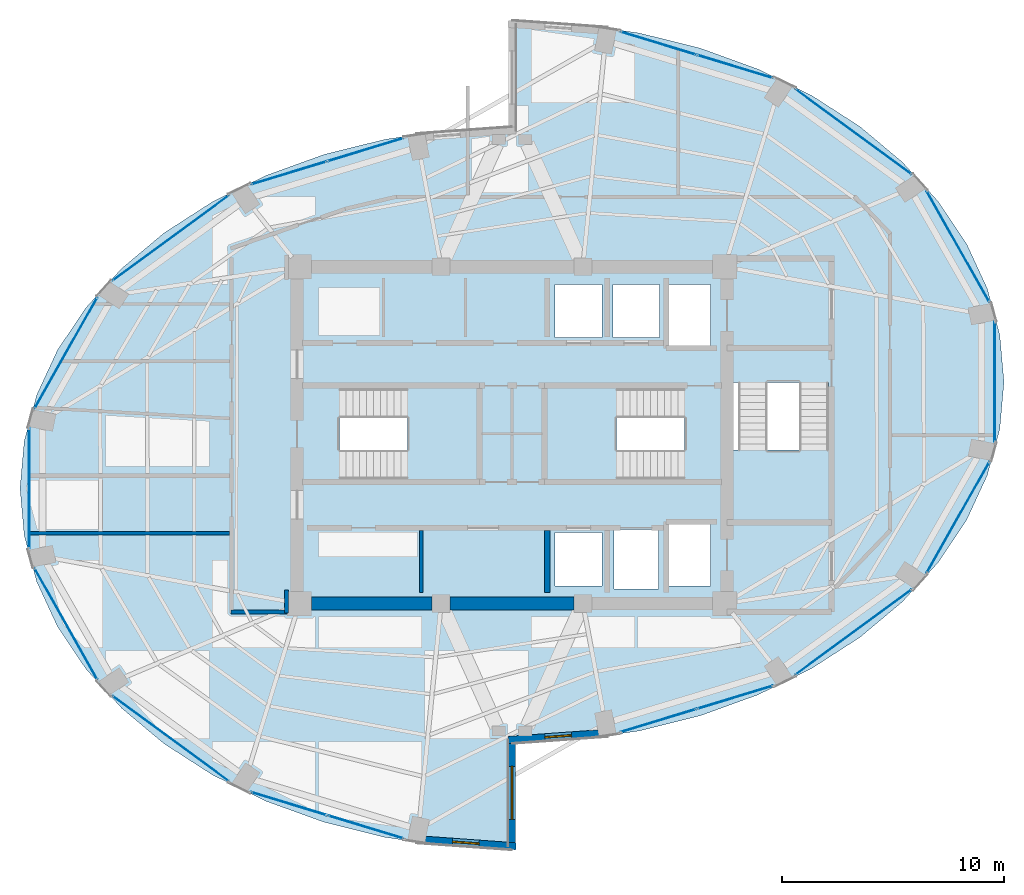
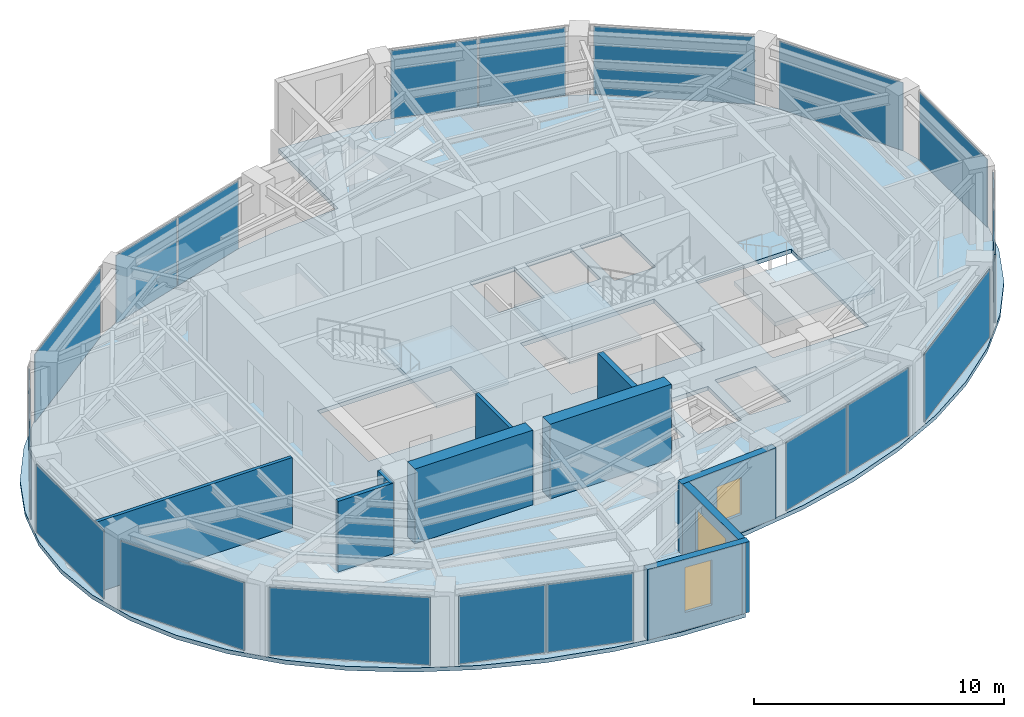
# One storey, part 18 of 23: 18 plates, 10 walls, 4 slabs, 3 windows, 3 openings, 17 elements without a shape of their own.
"""IFC4 building model written with IfcOpenShell, lengths in metres."""

from ifc_helpers import new_model, si_unit, direction, frame, frame_2d, origin, origin_2d, place, context, subcontext, project, spatial, polyline, rectangle, outline, extrude, material, layer, layer_set, type_object, element, fill, aggregate, save


model = new_model("IFC4")

# Units and contexts
model_context = context("Model", 3, precision=1e-05, world=origin(), true_north=direction((0.0, 1.0)))
body_context = subcontext(model_context, "Body", "Model", "MODEL_VIEW")
ifc_project = project(units=[si_unit("LENGTHUNIT", "METRE"), si_unit("AREAUNIT", "SQUARE_METRE"), si_unit("VOLUMEUNIT", "CUBIC_METRE"), si_unit("PLANEANGLEUNIT", "RADIAN"), si_unit("MASSUNIT", "GRAM", prefix="KILO")], contexts=[model_context])

# Site, building, storey
site_placement = place(None, origin())
site = spatial("IfcSite", under=ifc_project, at=site_placement, CompositionType="ELEMENT")
building_placement = place(site_placement, origin())
building = spatial("IfcBuilding", under=site, at=building_placement, Name="Lazwardi Medical Tower", CompositionType="ELEMENT")
storey_placement = place(building_placement, frame((0.0, 0.0, 213.072021484375)))
storey = spatial("IfcBuildingStorey", under=building, at=storey_placement, Name="L55", CompositionType="ELEMENT", Elevation=213.072021484375)

# Curtain wall, plates
ifc_material_1 = material(Name="Anodised bronze aluminium and solar control glazing", Category="aluminium")
ifc_layer_1 = layer(ifc_material_1, 0.18994140625)
ifc_layer_set_1 = layer_set([ifc_layer_1], Name="Anodised bronze aluminium and solar control glazing")
curtain_wall_type = type_object("IfcCurtainWallType", Name="CW-SYS-04", PredefinedType="NOTDEFINED", material=ifc_layer_set_1)
curtain_wall_1_placement = place(storey_placement, origin())
curtain_wall_1 = element("IfcCurtainWall", 1, at=curtain_wall_1_placement, inside=storey, type_object=curtain_wall_type, Name="L55 Unitised bronze curtain wall CW-04", PredefinedType="NOTDEFINED")
ifc_material_2 = material(Name="Low-e bronze solar control double glazing", Category="glass")
ifc_layer_2 = layer(ifc_material_2, 0.035888671875)
ifc_layer_set_2 = layer_set([ifc_layer_2], Name="Low-e bronze solar control double glazing")
plate_type = type_object("IfcPlateType", Name="PLT-GLZ-01", PredefinedType="CURTAIN_PANEL", material=ifc_layer_set_2)
plate_1_placement = place(storey_placement, frame((42.604736328125, 15.118896484375, 0.06494140625), z_axis=(0.0, 0.0, 1.0), x_axis=(0.956850126972, 0.290581889515, 0.0)))
plate_1 = element("IfcPlate", 2, at=plate_1_placement, type_object=plate_type, Name="CW-04 panel 1.1", PredefinedType="CURTAIN_PANEL", context=body_context, shape_type="SweptSolid", body=[
    extrude(rectangle(XDim=3.554443359375, YDim=0.035888671875, at=origin_2d()), origin(), (0.0, 0.0, 1.0), 3.318115234375),
])
plate_2_placement = place(storey_placement, frame((46.068115234375, 16.170654296875, 0.06494140625), z_axis=(0.0, 0.0, 1.0), x_axis=(0.956850126972, 0.290581889515, 0.0)))
plate_2 = element("IfcPlate", 3, at=plate_2_placement, type_object=plate_type, Name="CW-04 panel 2.1", PredefinedType="CURTAIN_PANEL", context=body_context, shape_type="SweptSolid", body=[
    extrude(rectangle(XDim=3.554443359375, YDim=0.035888671875, at=origin_2d()), origin(), (0.0, 0.0, 1.0), 3.318115234375),
])
aggregate(curtain_wall_1, [plate_1, plate_2])

# Curtain wall, plate
curtain_wall_2_placement = place(storey_placement, origin())
curtain_wall_2 = element("IfcCurtainWall", 4, at=curtain_wall_2_placement, inside=storey, type_object=curtain_wall_type, Name="L55 Unitised bronze curtain wall CW-04", PredefinedType="NOTDEFINED")
plate_3_placement = place(storey_placement, frame((51.403564453125, 19.106689453125, 0.06494140625), z_axis=(0.0, 0.0, 1.0), x_axis=(0.806474971121, 0.591268230971, 0.0)))
plate_3 = element("IfcPlate", 5, at=plate_3_placement, type_object=plate_type, Name="CW-04 panel 1.1", PredefinedType="CURTAIN_PANEL", context=body_context, shape_type="SweptSolid", body=[
    extrude(rectangle(XDim=6.502685546875, YDim=0.035888671875, at=origin_2d()), origin(), (0.0, 0.0, 1.0), 3.318115234375),
])
aggregate(curtain_wall_2, [plate_3])

curtain_wall_3_placement = place(storey_placement, origin())
curtain_wall_3 = element("IfcCurtainWall", 6, at=curtain_wall_3_placement, inside=storey, type_object=curtain_wall_type, Name="L55 Unitised bronze curtain wall CW-04", PredefinedType="NOTDEFINED")
plate_4_placement = place(storey_placement, frame((56.125732421875, 24.2880859375, 0.06494140625), z_axis=(0.0, 0.0, 1.0), x_axis=(0.491900474661, 0.870651436011, 0.0)))
plate_4 = element("IfcPlate", 7, at=plate_4_placement, type_object=plate_type, Name="CW-04 panel 1.1", PredefinedType="CURTAIN_PANEL", context=body_context, shape_type="SweptSolid", body=[
    extrude(rectangle(XDim=5.755126953125, YDim=0.035888671875, at=origin_2d()), origin(), (0.0, 0.0, 1.0), 3.318115234375),
])
aggregate(curtain_wall_3, [plate_4])

curtain_wall_4_placement = place(storey_placement, origin())
curtain_wall_4 = element("IfcCurtainWall", 8, at=curtain_wall_4_placement, inside=storey, type_object=curtain_wall_type, Name="L55 Unitised bronze curtain wall CW-04", PredefinedType="NOTDEFINED")
plate_5_placement = place(storey_placement, frame((57.7841796875, 30.39990234375, 0.06494140625), z_axis=(0.0, 0.0, 1.0), x_axis=(0.0, 1.0, 0.0)))
plate_5 = element("IfcPlate", 9, at=plate_5_placement, type_object=plate_type, Name="CW-04 panel 1.1", PredefinedType="CURTAIN_PANEL", context=body_context, shape_type="SweptSolid", body=[
    extrude(rectangle(XDim=5.416015625, YDim=0.035888671875, at=origin_2d()), origin(), (0.0, 0.0, 1.0), 3.318115234375),
])
aggregate(curtain_wall_4, [plate_5])

curtain_wall_5_placement = place(storey_placement, origin())
curtain_wall_5 = element("IfcCurtainWall", 10, at=curtain_wall_5_placement, inside=storey, type_object=curtain_wall_type, Name="L55 Unitised bronze curtain wall CW-04", PredefinedType="NOTDEFINED")
plate_6_placement = place(storey_placement, frame((56.125732421875, 36.511962890625, 0.06494140625), z_axis=(0.0, 0.0, 1.0), x_axis=(-0.491900474661, 0.870651436011, 0.0)))
plate_6 = element("IfcPlate", 11, at=plate_6_placement, type_object=plate_type, Name="CW-04 panel 1.1", PredefinedType="CURTAIN_PANEL", context=body_context, shape_type="SweptSolid", body=[
    extrude(rectangle(XDim=5.755126953125, YDim=0.035888671875, at=origin_2d()), origin(), (0.0, 0.0, 1.0), 3.318115234375),
])
aggregate(curtain_wall_5, [plate_6])

curtain_wall_6_placement = place(storey_placement, origin())
curtain_wall_6 = element("IfcCurtainWall", 12, at=curtain_wall_6_placement, inside=storey, type_object=curtain_wall_type, Name="L55 Unitised bronze curtain wall CW-04", PredefinedType="NOTDEFINED")
plate_7_placement = place(storey_placement, frame((51.403564453125, 41.693359375, 0.06494140625), z_axis=(0.0, 0.0, 1.0), x_axis=(-0.806474971121, 0.591268230971, 0.0)))
plate_7 = element("IfcPlate", 13, at=plate_7_placement, type_object=plate_type, Name="CW-04 panel 1.1", PredefinedType="CURTAIN_PANEL", context=body_context, shape_type="SweptSolid", body=[
    extrude(rectangle(XDim=6.502685546875, YDim=0.035888671875, at=origin_2d()), origin(), (0.0, 0.0, 1.0), 3.318115234375),
])
aggregate(curtain_wall_6, [plate_7])

# Curtain wall, plates
curtain_wall_7_placement = place(storey_placement, origin())
curtain_wall_7 = element("IfcCurtainWall", 14, at=curtain_wall_7_placement, inside=storey, type_object=curtain_wall_type, Name="L55 Unitised bronze curtain wall CW-04", PredefinedType="NOTDEFINED")
plate_8_placement = place(storey_placement, frame((46.068115234375, 44.62939453125, 0.06494140625), z_axis=(0.0, 0.0, 1.0), x_axis=(-0.956850126972, 0.290581889515, 0.0)))
plate_8 = element("IfcPlate", 15, at=plate_8_placement, type_object=plate_type, Name="CW-04 panel 1.1", PredefinedType="CURTAIN_PANEL", context=body_context, shape_type="SweptSolid", body=[
    extrude(rectangle(XDim=3.554443359375, YDim=0.035888671875, at=origin_2d()), origin(), (0.0, 0.0, 1.0), 3.318115234375),
])
plate_9_placement = place(storey_placement, frame((42.604736328125, 45.68115234375, 0.06494140625), z_axis=(0.0, 0.0, 1.0), x_axis=(-0.956850126972, 0.290581889515, 0.0)))
plate_9 = element("IfcPlate", 16, at=plate_9_placement, type_object=plate_type, Name="CW-04 panel 2.1", PredefinedType="CURTAIN_PANEL", context=body_context, shape_type="SweptSolid", body=[
    extrude(rectangle(XDim=3.554443359375, YDim=0.035888671875, at=origin_2d()), origin(), (0.0, 0.0, 1.0), 3.318115234375),
])
aggregate(curtain_wall_7, [plate_8, plate_9])

curtain_wall_8_placement = place(storey_placement, origin())
curtain_wall_8 = element("IfcCurtainWall", 17, at=curtain_wall_8_placement, inside=storey, type_object=curtain_wall_type, Name="L55 Unitised bronze curtain wall CW-04", PredefinedType="NOTDEFINED")
plate_10_placement = place(storey_placement, frame((29.395263671875, 40.881103515625, 0.06494140625), z_axis=(0.0, 0.0, 1.0), x_axis=(-0.956850126972, -0.290581889515, 0.0)))
plate_10 = element("IfcPlate", 18, at=plate_10_placement, type_object=plate_type, Name="CW-04 panel 1.1", PredefinedType="CURTAIN_PANEL", context=body_context, shape_type="SweptSolid", body=[
    extrude(rectangle(XDim=3.554443359375, YDim=0.035888671875, at=origin_2d()), origin(), (0.0, 0.0, 1.0), 3.318115234375),
])
plate_11_placement = place(storey_placement, frame((25.931884765625, 39.829345703125, 0.06494140625), z_axis=(0.0, 0.0, 1.0), x_axis=(-0.956850126972, -0.290581889515, 0.0)))
plate_11 = element("IfcPlate", 19, at=plate_11_placement, type_object=plate_type, Name="CW-04 panel 2.1", PredefinedType="CURTAIN_PANEL", context=body_context, shape_type="SweptSolid", body=[
    extrude(rectangle(XDim=3.554443359375, YDim=0.035888671875, at=origin_2d()), origin(), (0.0, 0.0, 1.0), 3.318115234375),
])
aggregate(curtain_wall_8, [plate_10, plate_11])

# Curtain wall, plate
curtain_wall_9_placement = place(storey_placement, origin())
curtain_wall_9 = element("IfcCurtainWall", 20, at=curtain_wall_9_placement, inside=storey, type_object=curtain_wall_type, Name="L55 Unitised bronze curtain wall CW-04", PredefinedType="NOTDEFINED")
plate_12_placement = place(storey_placement, frame((20.596435546875, 36.893310546875, 0.06494140625), z_axis=(0.0, 0.0, 1.0), x_axis=(-0.806474971121, -0.591268230971, 0.0)))
plate_12 = element("IfcPlate", 21, at=plate_12_placement, type_object=plate_type, Name="CW-04 panel 1.1", PredefinedType="CURTAIN_PANEL", context=body_context, shape_type="SweptSolid", body=[
    extrude(rectangle(XDim=6.502685546875, YDim=0.035888671875, at=origin_2d()), origin(), (0.0, 0.0, 1.0), 3.318115234375),
])
aggregate(curtain_wall_9, [plate_12])

curtain_wall_10_placement = place(storey_placement, origin())
curtain_wall_10 = element("IfcCurtainWall", 22, at=curtain_wall_10_placement, inside=storey, type_object=curtain_wall_type, Name="L55 Unitised bronze curtain wall CW-04", PredefinedType="NOTDEFINED")
plate_13_placement = place(storey_placement, frame((15.874267578125, 31.7119140625, 0.06494140625), z_axis=(0.0, 0.0, 1.0), x_axis=(-0.491900474661, -0.870651436011, 0.0)))
plate_13 = element("IfcPlate", 23, at=plate_13_placement, type_object=plate_type, Name="CW-04 panel 1.1", PredefinedType="CURTAIN_PANEL", context=body_context, shape_type="SweptSolid", body=[
    extrude(rectangle(XDim=5.755126953125, YDim=0.035888671875, at=origin_2d()), origin(), (0.0, 0.0, 1.0), 3.318115234375),
])
aggregate(curtain_wall_10, [plate_13])

curtain_wall_11_placement = place(storey_placement, origin())
curtain_wall_11 = element("IfcCurtainWall", 24, at=curtain_wall_11_placement, inside=storey, type_object=curtain_wall_type, Name="L55 Unitised bronze curtain wall CW-04", PredefinedType="NOTDEFINED")
plate_14_placement = place(storey_placement, frame((14.2158203125, 25.60009765625, 0.06494140625), z_axis=(0.0, 0.0, 1.0), x_axis=(0.0, -1.0, 0.0)))
plate_14 = element("IfcPlate", 25, at=plate_14_placement, type_object=plate_type, Name="CW-04 panel 1.1", PredefinedType="CURTAIN_PANEL", context=body_context, shape_type="SweptSolid", body=[
    extrude(rectangle(XDim=5.416015625, YDim=0.035888671875, at=origin_2d()), origin(), (0.0, 0.0, 1.0), 3.318115234375),
])
aggregate(curtain_wall_11, [plate_14])

curtain_wall_12_placement = place(storey_placement, origin())
curtain_wall_12 = element("IfcCurtainWall", 26, at=curtain_wall_12_placement, inside=storey, type_object=curtain_wall_type, Name="L55 Unitised bronze curtain wall CW-04", PredefinedType="NOTDEFINED")
plate_15_placement = place(storey_placement, frame((15.874267578125, 19.488037109375, 0.06494140625), z_axis=(0.0, 0.0, 1.0), x_axis=(0.491900474661, -0.870651436011, 0.0)))
plate_15 = element("IfcPlate", 27, at=plate_15_placement, type_object=plate_type, Name="CW-04 panel 1.1", PredefinedType="CURTAIN_PANEL", context=body_context, shape_type="SweptSolid", body=[
    extrude(rectangle(XDim=5.755126953125, YDim=0.035888671875, at=origin_2d()), origin(), (0.0, 0.0, 1.0), 3.318115234375),
])
aggregate(curtain_wall_12, [plate_15])

curtain_wall_13_placement = place(storey_placement, origin())
curtain_wall_13 = element("IfcCurtainWall", 28, at=curtain_wall_13_placement, inside=storey, type_object=curtain_wall_type, Name="L55 Unitised bronze curtain wall CW-04", PredefinedType="NOTDEFINED")
plate_16_placement = place(storey_placement, frame((20.596435546875, 14.306640625, 0.06494140625), z_axis=(0.0, 0.0, 1.0), x_axis=(0.806474971121, -0.591268230971, 0.0)))
plate_16 = element("IfcPlate", 29, at=plate_16_placement, type_object=plate_type, Name="CW-04 panel 1.1", PredefinedType="CURTAIN_PANEL", context=body_context, shape_type="SweptSolid", body=[
    extrude(rectangle(XDim=6.502685546875, YDim=0.035888671875, at=origin_2d()), origin(), (0.0, 0.0, 1.0), 3.318115234375),
])
aggregate(curtain_wall_13, [plate_16])

# Curtain wall, plates
curtain_wall_14_placement = place(storey_placement, origin())
curtain_wall_14 = element("IfcCurtainWall", 30, at=curtain_wall_14_placement, inside=storey, type_object=curtain_wall_type, Name="L55 Unitised bronze curtain wall CW-04", PredefinedType="NOTDEFINED")
plate_17_placement = place(storey_placement, frame((25.931884765625, 11.37060546875, 0.06494140625), z_axis=(0.0, 0.0, 1.0), x_axis=(0.956850126972, -0.290581889515, 0.0)))
plate_17 = element("IfcPlate", 31, at=plate_17_placement, type_object=plate_type, Name="CW-04 panel 1.1", PredefinedType="CURTAIN_PANEL", context=body_context, shape_type="SweptSolid", body=[
    extrude(rectangle(XDim=3.554443359375, YDim=0.035888671875, at=origin_2d()), origin(), (0.0, 0.0, 1.0), 3.318115234375),
])
plate_18_placement = place(storey_placement, frame((29.395263671875, 10.31884765625, 0.06494140625), z_axis=(0.0, 0.0, 1.0), x_axis=(0.956850126972, -0.290581889515, 0.0)))
plate_18 = element("IfcPlate", 32, at=plate_18_placement, type_object=plate_type, Name="CW-04 panel 2.1", PredefinedType="CURTAIN_PANEL", context=body_context, shape_type="SweptSolid", body=[
    extrude(rectangle(XDim=3.554443359375, YDim=0.035888671875, at=origin_2d()), origin(), (0.0, 0.0, 1.0), 3.318115234375),
])
aggregate(curtain_wall_14, [plate_17, plate_18])

# Stair, slab
ifc_material_3 = material(Name="Concrete C45/55", Category="concrete")
stair_type = type_object("IfcStairType", Name="STR-WRD", PredefinedType="HALF_TURN_STAIR", material=ifc_material_3)
stair_1_placement = place(storey_placement, origin())
stair_1 = element("IfcStair", 33, at=stair_1_placement, inside=storey, type_object=stair_type, Name="L55 Protected Exit Stair ST1", PredefinedType="HALF_TURN_STAIR")
ifc_layer_3 = layer(ifc_material_3, 0.199951171875)
ifc_layer_set_3 = layer_set([ifc_layer_3], Name="Concrete C45/55")
slab_type_1 = type_object("IfcSlabType", Name="SLB-LND-190", PredefinedType="LANDING", material=ifc_layer_set_3)
slab_1_placement = place(storey_placement, frame((0.0, 0.0, 1.6240234375)))
slab_1 = element("IfcSlab", 34, at=slab_1_placement, type_object=slab_type_1, Name="ST1 landing 1", PredefinedType="LANDING", context=body_context, shape_type="SweptSolid", body=[
    extrude(outline(polyline([(31.27490234375, 25.840087890625), (34.580078125, 25.840087890625), (34.580078125, 30.280029296875), (31.27490234375, 30.280029296875), (31.27490234375, 25.840087890625)])), origin(), (0.0, 0.0, 1.0), 0.199951171875),
])
aggregate(stair_1, [slab_1])

stair_2_placement = place(storey_placement, origin())
stair_2 = element("IfcStair", 35, at=stair_2_placement, inside=storey, type_object=stair_type, Name="L55 Protected Exit Stair ST2", PredefinedType="HALF_TURN_STAIR")
slab_2_placement = place(storey_placement, frame((0.0, 0.0, 1.6240234375)))
slab_2 = element("IfcSlab", 36, at=slab_2_placement, type_object=slab_type_1, Name="ST2 landing 1", PredefinedType="LANDING", context=body_context, shape_type="SweptSolid", body=[
    extrude(outline(polyline([(40.72509765625, 30.280029296875), (37.419921875, 30.280029296875), (37.419921875, 25.840087890625), (40.72509765625, 25.840087890625), (40.72509765625, 30.280029296875)])), origin(), (0.0, 0.0, 1.0), 0.199951171875),
])
aggregate(stair_2, [slab_2])

stair_3_placement = place(storey_placement, origin())
stair_3 = element("IfcStair", 37, at=stair_3_placement, inside=storey, type_object=stair_type, Name="L55 Protected Exit Stair ST3", PredefinedType="HALF_TURN_STAIR")
slab_3_placement = place(storey_placement, frame((0.0, 0.0, 1.6240234375)))
slab_3 = element("IfcSlab", 38, at=slab_3_placement, type_object=slab_type_1, Name="ST3 landing 1", PredefinedType="LANDING", context=body_context, shape_type="SweptSolid", body=[
    extrude(outline(polyline([(45.860107421875, 27.324951171875), (45.860107421875, 24.02001953125), (50.4599609375, 24.02001953125), (50.4599609375, 27.324951171875), (45.860107421875, 27.324951171875)])), origin(), (0.0, 0.0, 1.0), 0.199951171875),
])
aggregate(stair_3, [slab_3])

# Slab
ifc_material_4 = material(Name="Concrete C50/60", Category="concrete")
ifc_layer_4 = layer(ifc_material_4, 0.199951171875)
ifc_layer_set_4 = layer_set([ifc_layer_4], Name="Concrete C50/60")
slab_type_2 = type_object("IfcSlabType", Name="SLB-UPP-200", PredefinedType="FLOOR", material=ifc_layer_set_4)
slab_4_placement = place(storey_placement, frame((0.0, 0.0, -0.199951171875)))
element("IfcSlab", 39, at=slab_4_placement, inside=storey, type_object=slab_type_2, Name="Structural floor slab SF-04 L55", PredefinedType="FLOOR", context=body_context, shape_type="SweptSolid", body=[
    extrude(outline(polyline([(18.3876953125, 15.67724609375), (20.30224609375, 14.07421875), (22.485595703125, 12.668212890625), (24.89990234375, 11.48388671875), (27.50439453125, 10.540771484375), (30.254150390625, 9.85546875), (33.102294921875, 9.439453125), (36.0, 9.300048828125), (36.0, 14.10009765625), (38.897705078125, 14.239501953125), (41.745849609375, 14.655517578125), (44.49560546875, 15.3408203125), (47.10009765625, 16.28369140625), (49.514404296875, 17.46826171875), (51.69775390625, 18.874267578125), (53.6123046875, 20.477294921875), (55.225830078125, 22.25), (56.510009765625, 24.162353515625), (57.443603515625, 26.18115234375), (58.010009765625, 28.2724609375), (58.199951171875, 30.39990234375), (58.010009765625, 32.527587890625), (57.443603515625, 34.618896484375), (56.510009765625, 36.6376953125), (55.225830078125, 38.550048828125), (53.6123046875, 40.32275390625), (51.69775390625, 41.92578125), (49.514404296875, 43.331787109375), (47.10009765625, 44.51611328125), (44.49560546875, 45.459228515625), (41.745849609375, 46.14453125), (38.897705078125, 46.560546875), (36.0, 46.699951171875), (36.0, 41.89990234375), (33.102294921875, 41.760498046875), (30.254150390625, 41.344482421875), (27.50439453125, 40.6591796875), (24.89990234375, 39.71630859375), (22.485595703125, 38.53173828125), (20.30224609375, 37.125732421875), (18.3876953125, 35.522705078125), (16.774169921875, 33.75), (15.489990234375, 31.837646484375), (14.556396484375, 29.81884765625), (13.989990234375, 27.7275390625), (13.800048828125, 25.60009765625), (13.989990234375, 23.472412109375), (14.556396484375, 21.381103515625), (15.489990234375, 19.3623046875), (16.774169921875, 17.449951171875), (18.3876953125, 15.67724609375)]), holes=[polyline([(28.22509765625, 26.02001953125), (28.22509765625, 30.10009765625), (34.39990234375, 30.10009765625), (34.39990234375, 26.02001953125), (28.22509765625, 26.02001953125)]), polyline([(37.60009765625, 30.10009765625), (43.77490234375, 30.10009765625), (43.77490234375, 26.02001953125), (37.60009765625, 26.02001953125), (37.60009765625, 30.10009765625)]), polyline([(50.280029296875, 30.375), (50.280029296875, 24.179931640625), (45.840087890625, 24.179931640625), (45.840087890625, 30.375), (50.280029296875, 30.375)]), polyline([(40.050048828125, 32.39990234375), (37.949951171875, 32.39990234375), (37.949951171875, 34.800048828125), (40.050048828125, 34.800048828125), (40.050048828125, 32.39990234375)]), polyline([(40.550048828125, 32.39990234375), (40.550048828125, 34.800048828125), (42.64990234375, 34.800048828125), (42.64990234375, 32.39990234375), (40.550048828125, 32.39990234375)]), polyline([(37.949951171875, 23.60009765625), (40.050048828125, 23.60009765625), (40.050048828125, 21.199951171875), (37.949951171875, 21.199951171875), (37.949951171875, 23.60009765625)]), polyline([(44.949951171875, 34.800048828125), (44.949951171875, 32.0), (43.050048828125, 32.0), (43.050048828125, 34.800048828125), (44.949951171875, 34.800048828125)]), polyline([(44.949951171875, 21.199951171875), (43.050048828125, 21.199951171875), (43.050048828125, 24.0), (44.949951171875, 24.0), (44.949951171875, 21.199951171875)]), polyline([(40.60009765625, 21.050048828125), (40.60009765625, 23.75), (42.60009765625, 23.75), (42.60009765625, 21.050048828125), (40.60009765625, 21.050048828125)])]), origin(), (0.0, 0.0, 1.0), 0.199951171875),
])

# Walls
ifc_material_5 = material(Name="Fire-rated gypsum board on steel stud", Category="steel")
ifc_layer_5 = layer(ifc_material_5, 0.179931640625)
ifc_layer_set_5 = layer_set([ifc_layer_5], Name="Fire-rated gypsum board on steel stud")
wall_type_1 = type_object("IfcWallType", Name="WL-COR-180", PredefinedType="PARTITIONING", material=ifc_layer_set_5)
wall_1_placement = place(storey_placement, frame((25.830078125, 21.010009765625, 0.0), z_axis=(0.0, 0.0, 1.0), x_axis=(0.0, -1.0, 0.0)))
element("IfcWall", 40, at=wall_1_placement, inside=storey, type_object=wall_type_1, Name="L55 Corridor partition 8", PredefinedType="PARTITIONING", context=body_context, shape_type="SweptSolid", body=[
    extrude(rectangle(XDim=1.030029296875, YDim=0.179931640625, at=frame_2d((0.51513671875, 0.0))), origin(), (0.0, 0.0, 1.0), 3.447998046875),
])
wall_2_placement = place(storey_placement, frame((25.8701171875, 20.02001953125, 0.0), z_axis=(0.0, 0.0, 1.0), x_axis=(-1.0, 0.0, 0.0)))
element("IfcWall", 41, at=wall_2_placement, inside=storey, type_object=wall_type_1, Name="L55 Corridor partition 9", PredefinedType="PARTITIONING", context=body_context, shape_type="SweptSolid", body=[
    extrude(rectangle(XDim=2.56005859375, YDim=0.179931640625, at=frame_2d((1.280029296875, 0.0))), origin(), (0.0, 0.0, 1.0), 3.447998046875),
])
ifc_material_6 = material(Name="Concrete C60/75", Category="concrete")
ifc_layer_6 = layer(ifc_material_6, 0.60009765625)
ifc_layer_set_6 = layer_set([ifc_layer_6], Name="Concrete C60/75")
wall_type_2 = type_object("IfcWallType", Name="WL-CORE-600", PredefinedType="SHEAR", material=ifc_layer_set_6)
wall_3_placement = place(storey_placement, frame((26.949951171875, 20.39990234375, 0.0), z_axis=(0.0, 0.0, 1.0), x_axis=(1.0, 0.0, 0.0)))
element("IfcWall", 42, at=wall_3_placement, inside=storey, type_object=wall_type_2, Name="Core wall CW-S3 S1 L55", PredefinedType="SHEAR", context=body_context, shape_type="SweptSolid", body=[
    extrude(rectangle(XDim=5.449951171875, YDim=0.60009765625, at=frame_2d((2.72509765625, 0.0))), origin(), (0.0, 0.0, 1.0), 3.64794921875),
])
wall_4_placement = place(storey_placement, frame((33.199951171875, 20.39990234375, 0.0), z_axis=(0.0, 0.0, 1.0), x_axis=(1.0, 0.0, 0.0)))
element("IfcWall", 43, at=wall_4_placement, inside=storey, type_object=wall_type_2, Name="Core wall CW-S3 S2 L55", PredefinedType="SHEAR", context=body_context, shape_type="SweptSolid", body=[
    extrude(rectangle(XDim=5.60009765625, YDim=0.60009765625, at=frame_2d((2.800048828125, 0.0))), origin(), (0.0, 0.0, 1.0), 3.64794921875),
])

# Wall, opening, window
ifc_material_7 = material(Name="Precast concrete C45/55", Category="concrete")
ifc_layer_7 = layer(ifc_material_7, 0.320068359375)
ifc_layer_set_7 = layer_set([ifc_layer_7], Name="Precast concrete C45/55")
wall_type_3 = type_object("IfcWallType", Name="WL-IWAN-320", PredefinedType="SOLIDWALL", material=ifc_layer_set_7)
wall_5_placement = place(storey_placement, frame((35.820556640625, 14.2470703125, 0.0), z_axis=(0.0, 0.0, 1.0), x_axis=(0.997409061056, 0.071938619141, 0.0)))
wall_5 = element("IfcWall", 44, at=wall_5_placement, inside=storey, type_object=wall_type_3, Name="L55 Iwan Portal Return Wall SE_ret", PredefinedType="SOLIDWALL", context=body_context, shape_type="SweptSolid", body=[
    extrude(rectangle(XDim=4.540771484375, YDim=0.320068359375, at=frame_2d((2.2705078125, 0.0))), origin(), (0.0, 0.0, 1.0), 3.447998046875),
])
opening_1_placement = place(wall_5_placement, frame((1.67041015625, 0.0, 0.85009765625)))
opening_1 = element("IfcOpeningElement", 45, at=opening_1_placement, cuts=wall_5, Name="Opening WN-04", PredefinedType="OPENING", context=body_context, shape_type="SweptSolid", body=[
    extrude(rectangle(XDim=1.199951171875, YDim=1.800048828125, at=frame_2d((0.60009765625, 0.89990234375))), frame((0.0, 0.169921875, 0.0), z_axis=(0.0, -1.0, 0.0), x_axis=(1.0, 0.0, 0.0)), (0.0, 0.0, 1.0), 0.340087890625),
])
window_type_1 = type_object("IfcWindowType", Name="WIN-DRUM-1200", PartitioningType="SINGLE_PANEL", PredefinedType="WINDOW", material=ifc_material_2)
window_1_placement = place(opening_1_placement, origin())
window_1 = element("IfcWindow", 46, at=window_1_placement, inside=storey, type_object=window_type_1, Name="L55 Iwan Slot Window SE_ret", OverallHeight=1.800048828125, OverallWidth=1.199951171875, PartitioningType="SINGLE_PANEL", PredefinedType="WINDOW", context=body_context, shape_type="SweptSolid", body=[
    extrude(rectangle(XDim=1.199951171875, YDim=1.800048828125, at=frame_2d((0.60009765625, 0.89990234375))), frame((0.0, 0.030029296875, 0.0), z_axis=(0.0, -1.0, 0.0), x_axis=(1.0, 0.0, 0.0)), (0.0, 0.0, 1.0), 0.06005859375),
])
fill(opening_1, window_1)

wall_6_placement = place(storey_placement, frame((31.650390625, 9.773681640625, 0.0), z_axis=(0.0, 0.0, 1.0), x_axis=(0.997408782787, -0.071942477163, 0.0)))
wall_6 = element("IfcWall", 47, at=wall_6_placement, inside=storey, type_object=wall_type_3, Name="L55 Iwan Portal Return Wall SW_ret", PredefinedType="SOLIDWALL", context=body_context, shape_type="SweptSolid", body=[
    extrude(rectangle(XDim=4.54052734375, YDim=0.320068359375, at=frame_2d((2.270263671875, 0.0))), origin(), (0.0, 0.0, 1.0), 3.447998046875),
])
opening_2_placement = place(wall_6_placement, frame((1.67041015625, 0.0, 0.85009765625)))
opening_2 = element("IfcOpeningElement", 48, at=opening_2_placement, cuts=wall_6, Name="Opening WN-01", PredefinedType="OPENING", context=body_context, shape_type="SweptSolid", body=[
    extrude(rectangle(XDim=1.199951171875, YDim=2.199951171875, at=frame_2d((0.60009765625, 1.10009765625))), frame((0.0, 0.169921875, 0.0), z_axis=(0.0, -1.0, 0.0), x_axis=(1.0, 0.0, 0.0)), (0.0, 0.0, 1.0), 0.340087890625),
])
window_type_2 = type_object("IfcWindowType", Name="WIN-IW-1200", PartitioningType="SINGLE_PANEL", PredefinedType="WINDOW", material=ifc_material_2)
window_2_placement = place(opening_2_placement, origin())
window_2 = element("IfcWindow", 49, at=window_2_placement, inside=storey, type_object=window_type_2, Name="L55 Iwan Slot Window SW_ret", OverallHeight=2.199951171875, OverallWidth=1.199951171875, PartitioningType="SINGLE_PANEL", PredefinedType="WINDOW", context=body_context, shape_type="SweptSolid", body=[
    extrude(rectangle(XDim=1.199951171875, YDim=2.199951171875, at=frame_2d((0.60009765625, 1.10009765625))), frame((0.0, 0.030029296875, 0.0), z_axis=(0.0, -1.0, 0.0), x_axis=(1.0, 0.0, 0.0)), (0.0, 0.0, 1.0), 0.06005859375),
])
fill(opening_2, window_2)

wall_7_placement = place(storey_placement, frame((36.0, 9.300048828125, 0.0), z_axis=(0.0, 0.0, 1.0), x_axis=(0.0, 1.0, 0.0)))
wall_7 = element("IfcWall", 50, at=wall_7_placement, inside=storey, type_object=wall_type_3, Name="L55 Turquoise Tilework Iwan Seam Wall S_seam", PredefinedType="SOLIDWALL", context=body_context, shape_type="SweptSolid", body=[
    extrude(rectangle(XDim=5.119873046875, YDim=0.320068359375, at=frame_2d((2.56005859375, 0.0))), origin(), (0.0, 0.0, 1.0), 3.447998046875),
])
opening_3_placement = place(wall_7_placement, frame((1.360107421875, 0.0, 0.840087890625)))
opening_3 = element("IfcOpeningElement", 51, at=opening_3_placement, cuts=wall_7, Name="Opening WN-02", PredefinedType="OPENING", context=body_context, shape_type="SweptSolid", body=[
    extrude(rectangle(XDim=2.39990234375, YDim=2.0400390625, at=frame_2d((1.199951171875, 1.02001953125))), frame((0.0, 0.169921875, 0.0), z_axis=(0.0, -1.0, 0.0), x_axis=(1.0, 0.0, 0.0)), (0.0, 0.0, 1.0), 0.340087890625),
])
window_type_3 = type_object("IfcWindowType", Name="WIN-IW-2400", PartitioningType="SINGLE_PANEL", PredefinedType="WINDOW", material=ifc_material_2)
window_3_placement = place(opening_3_placement, origin())
window_3 = element("IfcWindow", 52, at=window_3_placement, inside=storey, type_object=window_type_3, Name="L55 Iwan Seam Window S_seam", OverallHeight=2.0400390625, OverallWidth=2.39990234375, PartitioningType="SINGLE_PANEL", PredefinedType="WINDOW", context=body_context, shape_type="SweptSolid", body=[
    extrude(rectangle(XDim=2.39990234375, YDim=2.0400390625, at=frame_2d((1.199951171875, 1.02001953125))), frame((0.0, 0.030029296875, 0.0), z_axis=(0.0, -1.0, 0.0), x_axis=(1.0, 0.0, 0.0)), (0.0, 0.0, 1.0), 0.06005859375),
])
fill(opening_3, window_3)

# Walls
ifc_material_8 = material(Name="Autoclaved aerated concrete blockwork", Category="masonry")
ifc_layer_8 = layer(ifc_material_8, 0.25)
ifc_layer_set_8 = layer_set([ifc_layer_8], Name="Autoclaved aerated concrete blockwork")
wall_type_4 = type_object("IfcWallType", Name="WL-SHAFT-250", PredefinedType="SOLIDWALL", material=ifc_layer_set_8)
wall_8_placement = place(storey_placement, frame((37.60009765625, 20.89990234375, 0.0), z_axis=(0.0, 0.0, 1.0), x_axis=(0.0, 1.0, 0.0)))
element("IfcWall", 53, at=wall_8_placement, inside=storey, type_object=wall_type_4, Name="L55 South hoistway divider", PredefinedType="SOLIDWALL", context=body_context, shape_type="SweptSolid", body=[
    extrude(rectangle(XDim=2.800048828125, YDim=0.25, at=frame_2d((1.39990234375, 0.0))), origin(), (0.0, 0.0, 1.0), 3.447998046875),
])
ifc_material_9 = material(Name="Acoustic gypsum board partition")
ifc_layer_9 = layer(ifc_material_9, 0.14990234375)
ifc_layer_set_9 = layer_set([ifc_layer_9], Name="Acoustic gypsum board partition")
wall_type_5 = type_object("IfcWallType", Name="WL-WRD-150", PredefinedType="PARTITIONING", material=ifc_layer_set_9)
wall_9_placement = place(storey_placement, frame((31.89990234375, 20.89990234375, 0.0), z_axis=(0.0, 0.0, 1.0), x_axis=(0.0, 1.0, 0.0)))
element("IfcWall", 54, at=wall_9_placement, inside=storey, type_object=wall_type_5, Name="L55 Freed bay2 S split", PredefinedType="PARTITIONING", context=body_context, shape_type="SweptSolid", body=[
    extrude(rectangle(XDim=2.800048828125, YDim=0.14990234375, at=frame_2d((1.39990234375, 0.0))), origin(), (0.0, 0.0, 1.0), 3.447998046875),
])
wall_10_placement = place(storey_placement, frame((14.228271484375, 23.580078125, 0.0), z_axis=(0.0, 0.0, 1.0), x_axis=(1.0, 0.0, 0.0)))
element("IfcWall", 55, at=wall_10_placement, inside=storey, type_object=wall_type_5, Name="L55 Room partition 1", PredefinedType="PARTITIONING", context=body_context, shape_type="SweptSolid", body=[
    extrude(rectangle(XDim=9.03173828125, YDim=0.14990234375, at=frame_2d((4.515869140625, 0.0))), origin(), (0.0, 0.0, 1.0), 3.447998046875),
])

save(model, "model.ifc")
